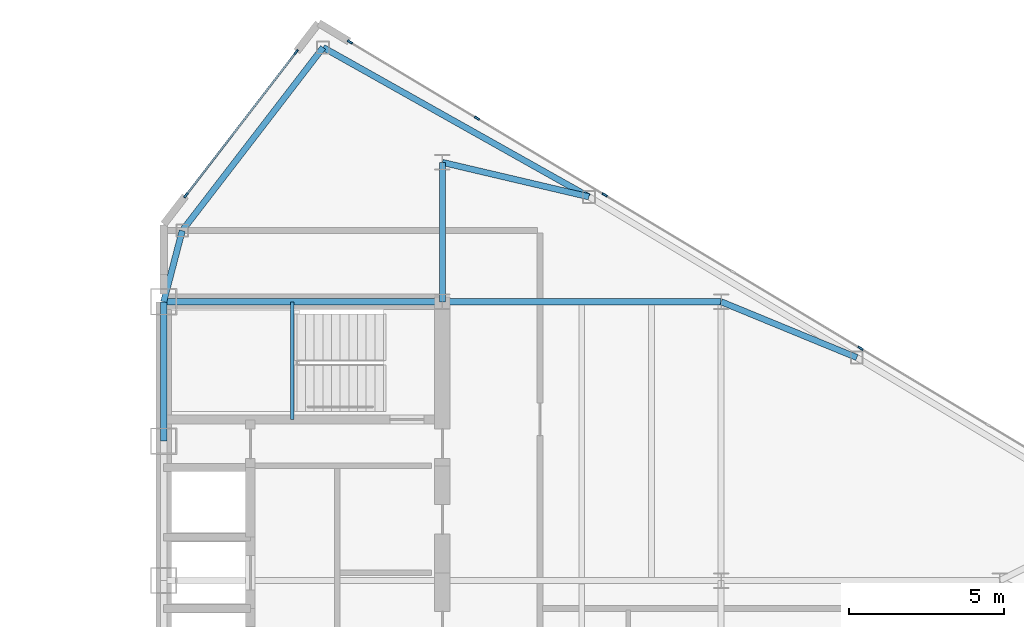
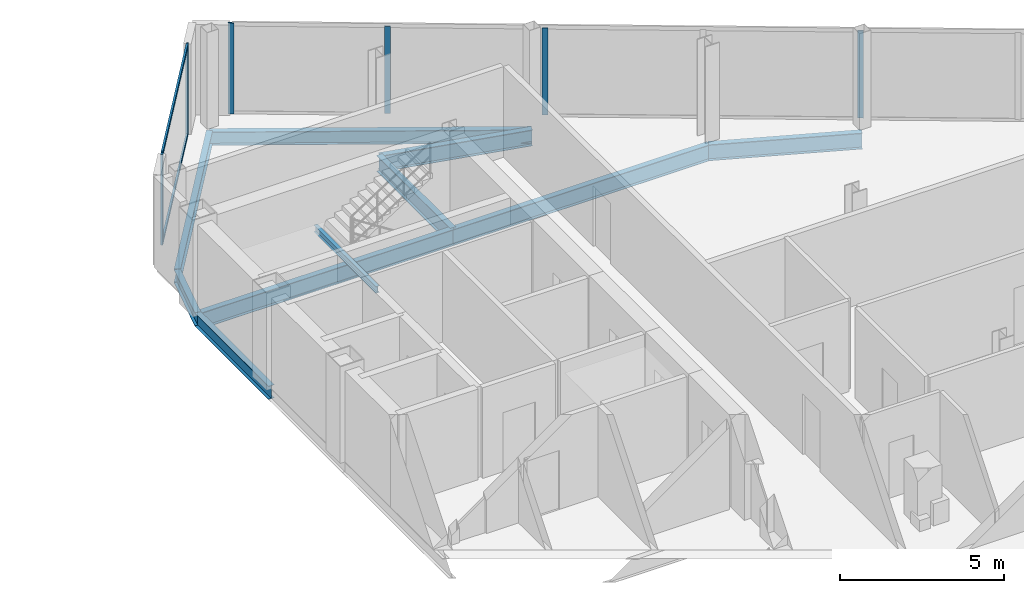
# One storey, part 15 of 25: 10 beams, 8 members, 2 elements without a shape of their own.
"""IFC4 building model written with IfcOpenShell, lengths in metres."""

from ifc_helpers import new_model, si_unit, direction, frame, origin, origin_2d, place, context, subcontext, project, spatial, rectangle, i_section, extrude, source, transform, mapped, material, layer, layer_set, material_profile, profile_set, type_object, type_shapes, element, aggregate, save


model = new_model("IFC4")

# Units and contexts
model_context = context("Model", 3, precision=1e-05, world=origin(), true_north=direction((0.0, 1.0)))
body_context = subcontext(model_context, "Body", "Model", "MODEL_VIEW")
ifc_project = project(units=[si_unit("LENGTHUNIT", "METRE"), si_unit("AREAUNIT", "SQUARE_METRE"), si_unit("VOLUMEUNIT", "CUBIC_METRE"), si_unit("PLANEANGLEUNIT", "RADIAN"), si_unit("MASSUNIT", "GRAM", prefix="KILO")], contexts=[model_context])

# Site, building, storey
site_placement = place(None, origin())
site = spatial("IfcSite", under=ifc_project, at=site_placement, CompositionType="ELEMENT")
building_placement = place(site_placement, origin())
building = spatial("IfcBuilding", under=site, at=building_placement, Name="Seokmaru Belvedere", CompositionType="ELEMENT")
storey_placement = place(building_placement, frame((0.0, 0.0, 210.300048828125)))
storey = spatial("IfcBuildingStorey", under=building, at=storey_placement, Name="L56", CompositionType="ELEMENT", Elevation=210.300048828125)

# Beams
ifc_material_1 = material(Name="Steel SM355 (355 MPa)", Category="steel")
ifc_material_profile_1 = material_profile(ifc_material_1, i_section(OverallWidth=0.199951171875, OverallDepth=0.5, WebThickness=0.010009765625, FlangeThickness=0.01611328125, at=origin_2d()), Name="H-500x200x10x16")
ifc_profile_set_1 = profile_set([ifc_material_profile_1], Name="Steel SM355 (355 MPa)")
beam_type_1 = type_object("IfcBeamType", Name="Perimeter Spandrel Beam H-500", PredefinedType="SPANDREL", material=ifc_profile_set_1)
shared_shape_1 = source(origin(), body_context, "Body", "SweptSolid", [
    extrude(i_section(OverallWidth=0.199951171875, OverallDepth=0.5, WebThickness=0.010009765625, FlangeThickness=0.01611328125, at=origin_2d()), origin(), (0.0, 0.0, 1.0), 4.5),
])
beam_1_placement = place(storey_placement, frame((27.5, 9.0, -0.469970703125), z_axis=(0.0, 1.0, 0.0), x_axis=(-1.0, 0.0, 0.0)))
element("IfcBeam", 1, at=beam_1_placement, inside=storey, type_object=beam_type_1, Name="L56 E Portal Spine Spandrel 5", PredefinedType="SPANDREL", context=body_context, shape_type="MappedRepresentation", body=[
    mapped(shared_shape_1, transform((0.0, 0.0, 0.0), scale=1.0)),
])
ifc_material_profile_2 = material_profile(ifc_material_1, i_section(OverallWidth=0.199951171875, OverallDepth=0.60009765625, WebThickness=0.010986328125, FlangeThickness=0.01708984375, at=origin_2d()), Name="H-600x200x11x17")
ifc_profile_set_2 = profile_set([ifc_material_profile_2], Name="Steel SM355 (355 MPa)")
beam_type_2 = type_object("IfcBeamType", Name="Primary Floor Girder H-600", PredefinedType="BEAM", material=ifc_profile_set_2)
shared_shape_2 = source(origin(), body_context, "Body", "SweptSolid", [
    extrude(i_section(OverallWidth=0.199951171875, OverallDepth=0.60009765625, WebThickness=0.010986328125, FlangeThickness=0.01708984375, at=origin_2d()), origin(), (0.0, 0.0, 1.0), 9.0),
])
for number, where, z_axis, x_axis, name in (
    (2, (27.5, 13.5, -0.52001953125), (1.0, 0.0, 0.0), (0.0, 1.0, 0.0), "L56 E Core Tie Girder 4"),
    (3, (36.5, 13.5, -0.52001953125), (1.0, 0.0, 0.0), (0.0, 1.0, 0.0), "L56 E Wing Primary Girder 4"),
):
    element("IfcBeam", number, at=place(storey_placement, frame(where, z_axis=z_axis, x_axis=x_axis)), inside=storey, type_object=beam_type_2, Name=name, PredefinedType="BEAM", context=body_context, shape_type="MappedRepresentation", body=[
        mapped(shared_shape_2, transform((0.0, 0.0, 0.0), scale=1.0)),
    ])
shared_shape_3 = source(origin(), body_context, "Body", "SweptSolid", [
    extrude(i_section(OverallWidth=0.199951171875, OverallDepth=0.60009765625, WebThickness=0.010986328125, FlangeThickness=0.01708984375, at=origin_2d()), origin(), (0.0, 0.0, 1.0), 4.5),
])
beam_2_placement = place(storey_placement, frame((36.5, 13.5, -0.52001953125), z_axis=(0.0, 1.0, 0.0), x_axis=(-1.0, 0.0, 0.0)))
element("IfcBeam", 4, at=beam_2_placement, inside=storey, type_object=beam_type_2, Name="L56 E Core Shoulder Girder N", PredefinedType="BEAM", context=body_context, shape_type="MappedRepresentation", body=[
    mapped(shared_shape_3, transform((0.0, 0.0, 0.0), scale=1.0)),
])
shared_shape_4 = source(origin(), body_context, "Body", "SweptSolid", [
    extrude(i_section(OverallWidth=0.199951171875, OverallDepth=0.5, WebThickness=0.010009765625, FlangeThickness=0.01611328125, at=origin_2d()), origin(), (0.0, 0.0, 1.0), 9.842041015625),
])
beam_3_placement = place(storey_placement, frame((32.649658203125, 21.71044921875, -0.469970703125), z_axis=(0.871782151818, -0.489893743349, 0.0), x_axis=(0.489893743349, 0.871782151818, 0.0)))
element("IfcBeam", 5, at=beam_3_placement, inside=storey, type_object=beam_type_1, Name="L56 E Faceted Flank Spandrel N-1", PredefinedType="SPANDREL", context=body_context, shape_type="MappedRepresentation", body=[
    mapped(shared_shape_4, transform((0.0, 0.0, 0.0), scale=1.0)),
])
shared_shape_5 = source(origin(), body_context, "Body", "SweptSolid", [
    extrude(i_section(OverallWidth=0.199951171875, OverallDepth=0.5, WebThickness=0.010009765625, FlangeThickness=0.01611328125, at=origin_2d()), origin(), (0.0, 0.0, 1.0), 7.4619140625),
])
beam_4_placement = place(storey_placement, frame((32.649658203125, 21.71044921875, -0.469970703125), z_axis=(-0.609702854945, -0.792630070507, 0.0), x_axis=(0.792630070507, -0.609702854945, 0.0)))
element("IfcBeam", 6, at=beam_4_placement, inside=storey, type_object=beam_type_1, Name="L56 E Shoulder Chamfer Spandrel N", PredefinedType="SPANDREL", context=body_context, shape_type="MappedRepresentation", body=[
    mapped(shared_shape_5, transform((0.0, 0.0, 0.0), scale=1.0)),
])
shared_shape_6 = source(origin(), body_context, "Body", "SweptSolid", [
    extrude(i_section(OverallWidth=0.199951171875, OverallDepth=0.5, WebThickness=0.010009765625, FlangeThickness=0.01611328125, at=origin_2d()), origin(), (0.0, 0.0, 1.0), 2.373046875),
])
type_shapes(beam_type_1, [shared_shape_1, shared_shape_4, shared_shape_5, shared_shape_6])
beam_5_placement = place(storey_placement, frame((28.10009765625, 15.7958984375, -0.469970703125), z_axis=(-0.252882558842, -0.967496982648, 0.0), x_axis=(0.967496982648, -0.252882558842, 0.0)))
element("IfcBeam", 7, at=beam_5_placement, inside=storey, type_object=beam_type_1, Name="L56 E Shoulder Spine Spandrel N", PredefinedType="SPANDREL", context=body_context, shape_type="MappedRepresentation", body=[
    mapped(shared_shape_6, transform((0.0, 0.0, 0.0), scale=1.0)),
])
shared_shape_7 = source(origin(), body_context, "Body", "SweptSolid", [
    extrude(i_section(OverallWidth=0.199951171875, OverallDepth=0.60009765625, WebThickness=0.010986328125, FlangeThickness=0.01708984375, at=origin_2d()), origin(), (0.0, 0.0, 1.0), 4.8583984375),
])
beam_6_placement = place(storey_placement, frame((41.229736328125, 16.888916015625, -0.52001953125), z_axis=(-0.97349948295, 0.228689214211, 0.0), x_axis=(-0.228689214211, -0.97349948295, 0.0)))
element("IfcBeam", 8, at=beam_6_placement, inside=storey, type_object=beam_type_2, Name="L56 E Flank Radial Floor Girder N-1", PredefinedType="BEAM", context=body_context, shape_type="MappedRepresentation", body=[
    mapped(shared_shape_7, transform((0.0, 0.0, 0.0), scale=1.0)),
])
shared_shape_8 = source(origin(), body_context, "Body", "SweptSolid", [
    extrude(i_section(OverallWidth=0.199951171875, OverallDepth=0.60009765625, WebThickness=0.010986328125, FlangeThickness=0.01708984375, at=origin_2d()), origin(), (0.0, 0.0, 1.0), 4.73583984375),
])
type_shapes(beam_type_2, [shared_shape_2, shared_shape_3, shared_shape_7, shared_shape_8])
beam_7_placement = place(storey_placement, frame((49.8798828125, 11.698974609375, -0.52001953125), z_axis=(-0.924860562953, 0.380306375301, 0.0), x_axis=(-0.380306375301, -0.924860562953, 0.0)))
element("IfcBeam", 9, at=beam_7_placement, inside=storey, type_object=beam_type_2, Name="L56 E Flank Radial Floor Girder N-2", PredefinedType="BEAM", context=body_context, shape_type="MappedRepresentation", body=[
    mapped(shared_shape_8, transform((0.0, 0.0, 0.0), scale=1.0)),
])

# Curtain wall, member
ifc_material_2 = material(Name="Bronze Triple Insulating Glass", Category="glass")
ifc_layer = layer(ifc_material_2, 0.179931640625)
ifc_layer_set = layer_set([ifc_layer], Name="Bronze Triple Insulating Glass")
curtain_wall_type = type_object("IfcCurtainWallType", Name="High-Rise Wind-Corner Curtain Wall System CW-5", PredefinedType="NOTDEFINED", material=ifc_layer_set)
curtain_wall_1_placement = place(storey_placement, origin())
curtain_wall_1 = element("IfcCurtainWall", 10, at=curtain_wall_1_placement, inside=storey, type_object=curtain_wall_type, Name="L56 Curtain Wall EF3", PredefinedType="NOTDEFINED")
ifc_material_3 = material(Name="Anodised Bronze Aluminium", Category="aluminium")
ifc_material_profile_3 = material_profile(ifc_material_3, rectangle(XDim=0.06494140625, YDim=0.179931640625, at=origin_2d()), Name="CW-M-65x180")
ifc_profile_set_3 = profile_set([ifc_material_profile_3], Name="Anodised Bronze Aluminium")
member_type_1 = type_object("IfcMemberType", Name="Bronze Unitised Mullion 65x180", PredefinedType="MULLION", material=ifc_profile_set_3)
shared_shape_9 = source(origin(), body_context, "Body", "SweptSolid", [
    extrude(rectangle(XDim=0.06494140625, YDim=0.179931640625, at=origin_2d()), origin(), (0.0, 0.0, 1.0), 3.3798828125),
])
member_1_placement = place(storey_placement, frame((33.513916015625, 21.8916015625, 0.0), z_axis=(0.0, 0.0, 1.0), x_axis=(-0.514494909364, -0.85749343335, 0.0)))
member_1 = element("IfcMember", 11, at=member_1_placement, type_object=member_type_1, Name="CW:L56:EF3 Mullion 9", PredefinedType="MULLION", context=body_context, shape_type="MappedRepresentation", body=[
    mapped(shared_shape_9, transform((0.0, 0.0, 0.0), scale=1.0)),
])

# Curtain wall, members
curtain_wall_2_placement = place(storey_placement, origin())
curtain_wall_2 = element("IfcCurtainWall", 12, at=curtain_wall_2_placement, inside=storey, type_object=curtain_wall_type, Name="L56 Curtain Wall EF4", PredefinedType="NOTDEFINED")
member_2_placement = place(storey_placement, frame((31.779052734375, 21.562744140625, 0.0), z_axis=(0.0, 0.0, 1.0), x_axis=(0.792631353244, -0.609701187349, 0.0)))
member_2 = element("IfcMember", 13, at=member_2_placement, type_object=member_type_1, Name="CW:L56:EF4 Mullion 1", PredefinedType="MULLION", context=body_context, shape_type="MappedRepresentation", body=[
    mapped(shared_shape_9, transform((0.0, 0.0, 0.0), scale=1.0)),
])
member_3_placement = place(storey_placement, frame((28.220947265625, 16.937255859375, 0.0), z_axis=(0.0, 0.0, 1.0), x_axis=(0.792631353244, -0.609701187349, 0.0)))
member_3 = element("IfcMember", 14, at=member_3_placement, type_object=member_type_1, Name="CW:L56:EF4 Mullion 2", PredefinedType="MULLION", context=body_context, shape_type="MappedRepresentation", body=[
    mapped(shared_shape_9, transform((0.0, 0.0, 0.0), scale=1.0)),
])

# Member
shared_shape_10 = source(origin(), body_context, "Body", "SweptSolid", [
    extrude(rectangle(XDim=0.06494140625, YDim=0.179931640625, at=origin_2d()), origin(), (0.0, 0.0, 1.0), 3.25),
])
type_shapes(member_type_1, [shared_shape_9, shared_shape_10])
member_4_placement = place(storey_placement, frame((50.0, 12.0, 0.06494140625), z_axis=(0.0, 0.0, 1.0), x_axis=(-0.514494909364, -0.85749343335, 0.0)))
member_4 = element("IfcMember", 15, at=member_4_placement, type_object=member_type_1, Name="CW:L56:EF3 Mullion 5", PredefinedType="MULLION", context=body_context, shape_type="MappedRepresentation", body=[
    mapped(shared_shape_10, transform((0.0, 0.0, 0.0), scale=1.0)),
])

member_5_placement = place(storey_placement, frame((41.742919921875, 16.9541015625, 0.06494140625), z_axis=(0.0, 0.0, 1.0), x_axis=(-0.514494909364, -0.85749343335, 0.0)))
member_5 = element("IfcMember", 16, at=member_5_placement, type_object=member_type_1, Name="CW:L56:EF3 Mullion 7", PredefinedType="MULLION", context=body_context, shape_type="MappedRepresentation", body=[
    mapped(shared_shape_10, transform((0.0, 0.0, 0.0), scale=1.0)),
])

member_6_placement = place(storey_placement, frame((37.614501953125, 19.43115234375, 0.06494140625), z_axis=(0.0, 0.0, 1.0), x_axis=(-0.514494909364, -0.85749343335, 0.0)))
member_6 = element("IfcMember", 17, at=member_6_placement, type_object=member_type_1, Name="CW:L56:EF3 Mullion 8", PredefinedType="MULLION", context=body_context, shape_type="MappedRepresentation", body=[
    mapped(shared_shape_10, transform((0.0, 0.0, 0.0), scale=1.0)),
])

aggregate(curtain_wall_1, [member_4, member_5, member_6, member_1])

ifc_material_profile_4 = material_profile(ifc_material_3, rectangle(XDim=0.06494140625, YDim=0.14990234375, at=origin_2d()), Name="CW-T-65x150")
ifc_profile_set_4 = profile_set([ifc_material_profile_4], Name="Anodised Bronze Aluminium")
member_type_2 = type_object("IfcMemberType", Name="Bronze Unitised Transom 65x150", PredefinedType="USERDEFINED", material=ifc_profile_set_4)
shared_shape_11 = source(origin(), body_context, "Body", "SweptSolid", [
    extrude(rectangle(XDim=0.06494140625, YDim=0.14990234375, at=origin_2d()), origin(), (0.0, 0.0, 1.0), 5.77099609375),
])
type_shapes(member_type_2, [shared_shape_11])
member_7_placement = place(storey_placement, frame((31.75927734375, 21.537109375, 0.032470703125), z_axis=(-0.60970258286, -0.792630279799, 0.0), x_axis=(0.792630279799, -0.60970258286, 0.0)))
member_7 = element("IfcMember", 18, at=member_7_placement, type_object=member_type_2, Name="CW:L56:EF4 Continuous Transom 1", ObjectType="TRANSOM", PredefinedType="USERDEFINED", context=body_context, shape_type="MappedRepresentation", body=[
    mapped(shared_shape_11, transform((0.0, 0.0, 0.0), scale=1.0)),
])

member_8_placement = place(storey_placement, frame((31.75927734375, 21.537109375, 3.347412109375), z_axis=(-0.60970258286, -0.792630279799, 0.0), x_axis=(0.792630279799, -0.60970258286, 0.0)))
member_8 = element("IfcMember", 19, at=member_8_placement, type_object=member_type_2, Name="CW:L56:EF4 Continuous Transom 2", ObjectType="TRANSOM", PredefinedType="USERDEFINED", context=body_context, shape_type="MappedRepresentation", body=[
    mapped(shared_shape_11, transform((0.0, 0.0, 0.0), scale=1.0)),
])

aggregate(curtain_wall_2, [member_2, member_3, member_7, member_8])

# Beam
ifc_material_profile_5 = material_profile(ifc_material_1, i_section(OverallWidth=0.125, OverallDepth=0.25, WebThickness=0.006103515625, FlangeThickness=0.009033203125, at=origin_2d()), Name="H-250x125x6x9")
ifc_profile_set_5 = profile_set([ifc_material_profile_5], Name="Steel SM355 (355 MPa)")
beam_type_3 = type_object("IfcBeamType", Name="Stair Mid-Landing Support Beam H-250", PredefinedType="JOIST", material=ifc_profile_set_5)
shared_shape_12 = source(origin(), body_context, "Body", "SweptSolid", [
    extrude(i_section(OverallWidth=0.125, OverallDepth=0.25, WebThickness=0.006103515625, FlangeThickness=0.009033203125, at=origin_2d()), origin(), (0.0, 0.0, 1.0), 3.800048828125),
])
type_shapes(beam_type_3, [shared_shape_12])
beam_8_placement = place(storey_placement, frame((31.64990234375, 9.699951171875, 1.474853515625), z_axis=(0.0, 1.0, 0.0), x_axis=(-1.0, 0.0, 0.0)))
element("IfcBeam", 20, at=beam_8_placement, inside=storey, type_object=beam_type_3, Name="L56 Stair ST-E2 Mid-Landing Support Beam 1", PredefinedType="JOIST", context=body_context, shape_type="MappedRepresentation", body=[
    mapped(shared_shape_12, transform((0.0, 0.0, 0.0), scale=1.0)),
])

save(model, "model.ifc")
